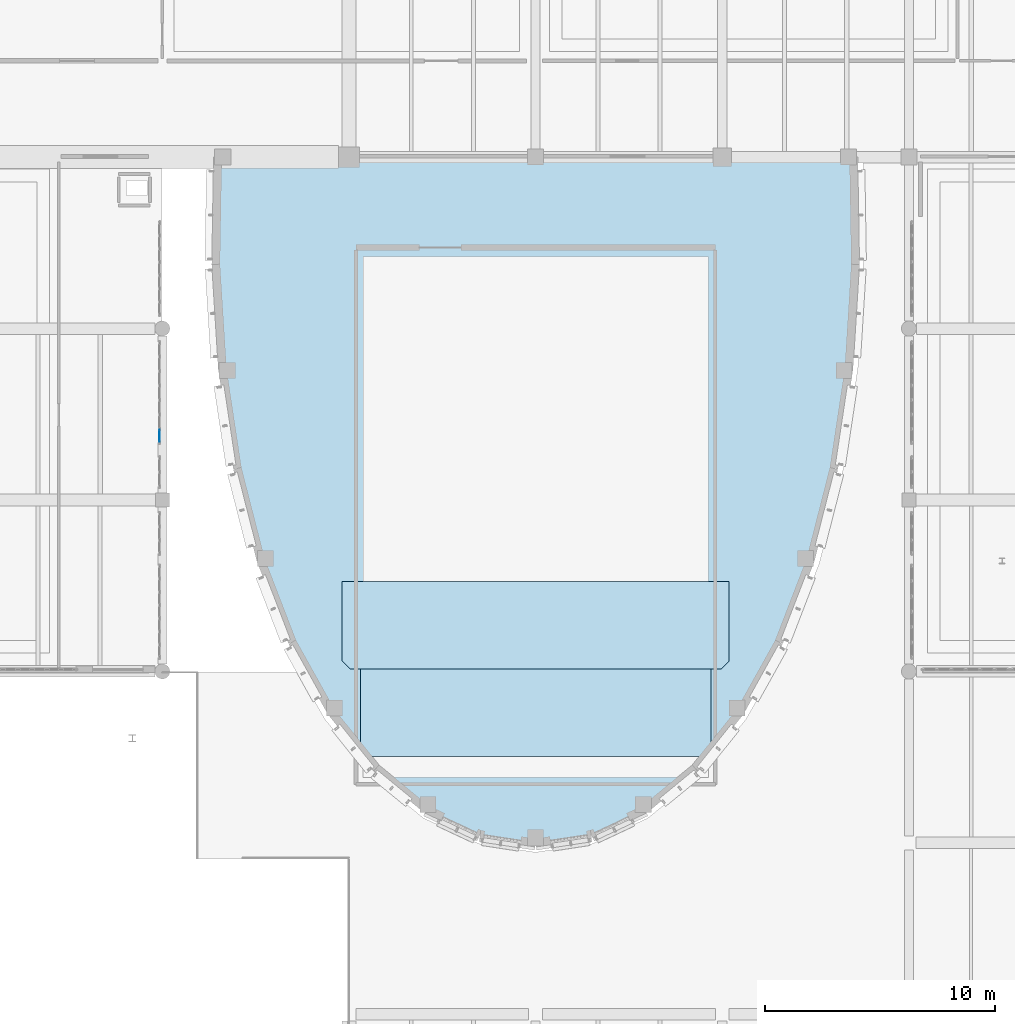
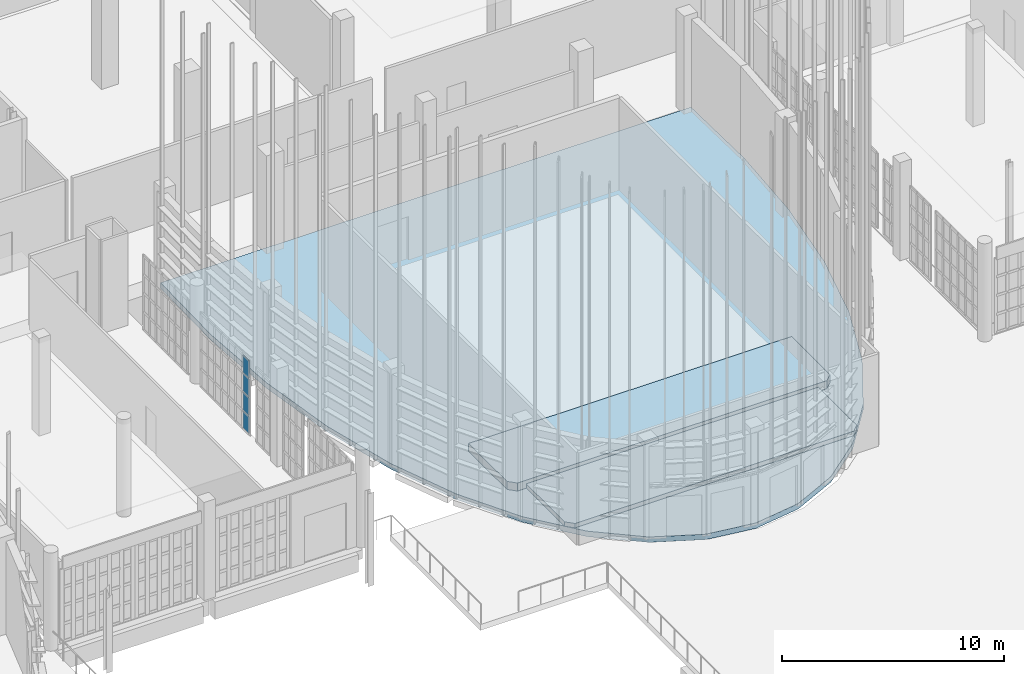
# One storey, part 330 of 372: 4 plates, 3 slabs, 1 element without a shape of its own.
"""IFC4 building model written with IfcOpenShell, lengths in metres."""

from ifc_helpers import new_model, si_unit, direction, frame, origin, origin_2d, place, context, subcontext, project, spatial, polyline, rectangle, outline, extrude, material, layer, layer_set, type_object, element, aggregate, save


model = new_model("IFC4")

# Units and contexts
model_context = context("Model", 3, precision=1e-05, world=origin(), true_north=direction((0.0, 1.0)))
body_context = subcontext(model_context, "Body", "Model", "MODEL_VIEW")
ifc_project = project(units=[si_unit("LENGTHUNIT", "METRE"), si_unit("AREAUNIT", "SQUARE_METRE"), si_unit("VOLUMEUNIT", "CUBIC_METRE"), si_unit("PLANEANGLEUNIT", "RADIAN"), si_unit("MASSUNIT", "GRAM", prefix="KILO")], contexts=[model_context])

# Site, building, storey
site_placement = place(None, origin())
site = spatial("IfcSite", under=ifc_project, at=site_placement, CompositionType="ELEMENT")
building_placement = place(site_placement, origin())
building = spatial("IfcBuilding", under=site, at=building_placement, Name="Kaelora Sail Theatre", CompositionType="ELEMENT")
storey_placement = place(building_placement, origin())
storey = spatial("IfcBuildingStorey", under=building, at=storey_placement, Name="L00", CompositionType="ELEMENT", Elevation=0.0)

# Curtain wall, plates
ifc_material_1 = material(Name="Anodised aluminium and solar-control low-E IGU", Category="aluminium")
curtain_wall_type = type_object("IfcCurtainWallType", Name="ARC-CW-CW-FOY1", PredefinedType="NOTDEFINED", material=ifc_material_1)
curtain_wall_placement = place(storey_placement, origin())
curtain_wall = element("IfcCurtainWall", 1, at=curtain_wall_placement, inside=storey, type_object=curtain_wall_type, Name="West Interstitial Foyer East Glazed Return L00-03", PredefinedType="NOTDEFINED")
ifc_material_2 = material(Name="Solar-control laminated low-E glass", Category="glass")
ifc_layer_1 = layer(ifc_material_2, 0.031982421875)
ifc_layer_set_1 = layer_set([ifc_layer_1], Name="Solar-control laminated low-E glass")
plate_type = type_object("IfcPlateType", Name="ARC-CW-PNL", PredefinedType="CURTAIN_PANEL", material=ifc_layer_set_1)
plate_1_placement = place(storey_placement, frame((74.280029296875, 48.928955078125, 0.070068359375), z_axis=(0.0, 0.0, 1.0), x_axis=(0.0, 1.0, 0.0)))
plate_1 = element("IfcPlate", 2, at=plate_1_placement, type_object=plate_type, Name="CW-FOY1 panel 1.1", PredefinedType="CURTAIN_PANEL", context=body_context, shape_type="SweptSolid", body=[
    extrude(rectangle(XDim=0.537841796875, YDim=0.031982421875, at=origin_2d()), origin(), (0.0, 0.0, 1.0), 0.92919921875),
])
plate_2_placement = place(storey_placement, frame((74.280029296875, 48.928955078125, 1.069091796875), z_axis=(0.0, 0.0, 1.0), x_axis=(0.0, 1.0, 0.0)))
plate_2 = element("IfcPlate", 3, at=plate_2_placement, type_object=plate_type, Name="CW-FOY1 panel 1.2", PredefinedType="CURTAIN_PANEL", context=body_context, shape_type="SweptSolid", body=[
    extrude(rectangle(XDim=0.537841796875, YDim=0.031982421875, at=origin_2d()), origin(), (0.0, 0.0, 1.0), 0.96435546875),
])
plate_3_placement = place(storey_placement, frame((74.280029296875, 48.928955078125, 2.103515625), z_axis=(0.0, 0.0, 1.0), x_axis=(0.0, 1.0, 0.0)))
plate_3 = element("IfcPlate", 4, at=plate_3_placement, type_object=plate_type, Name="CW-FOY1 panel 1.3", PredefinedType="CURTAIN_PANEL", context=body_context, shape_type="SweptSolid", body=[
    extrude(rectangle(XDim=0.537841796875, YDim=0.031982421875, at=origin_2d()), origin(), (0.0, 0.0, 1.0), 0.964111328125),
])
plate_4_placement = place(storey_placement, frame((74.280029296875, 48.928955078125, 3.1376953125), z_axis=(0.0, 0.0, 1.0), x_axis=(0.0, 1.0, 0.0)))
plate_4 = element("IfcPlate", 5, at=plate_4_placement, type_object=plate_type, Name="CW-FOY1 panel 1.4", PredefinedType="CURTAIN_PANEL", context=body_context, shape_type="SweptSolid", body=[
    extrude(rectangle(XDim=0.537841796875, YDim=0.031982421875, at=origin_2d()), origin(), (0.0, 0.0, 1.0), 0.92919921875),
])
aggregate(curtain_wall, [plate_1, plate_2, plate_3, plate_4])

# Slabs
ifc_material_3 = material(Name="Concrete C40/50", Category="concrete")
ifc_layer_2 = layer(ifc_material_3, 0.300048828125)
ifc_layer_set_2 = layer_set([ifc_layer_2], Name="Concrete C40/50")
slab_type_1 = type_object("IfcSlabType", Name="STR-SLB-SL-FL300", PredefinedType="FLOOR", material=ifc_layer_set_2)
slab_1_placement = place(storey_placement, frame((0.0, 0.0, -0.300048828125)))
element("IfcSlab", 6, at=slab_1_placement, inside=storey, type_object=slab_type_1, Name="Studio Theatre floor slab (L00)", PredefinedType="FLOOR", context=body_context, shape_type="SweptSolid", body=[
    extrude(outline(polyline([(104.39990234375, 61.02001953125), (104.477294921875, 56.364501953125), (104.19482421875, 51.82373046875), (103.543212890625, 47.50927734375), (102.525390625, 43.527587890625), (101.158203125, 39.9765625), (99.472412109375, 36.943603515625), (97.51220703125, 34.503662109375), (95.334716796875, 32.716552734375), (93.006103515625, 31.62646484375), (90.60009765625, 31.260009765625), (88.194091796875, 31.62646484375), (85.865234375, 32.716552734375), (83.687744140625, 34.503662109375), (81.727783203125, 36.943603515625), (80.0419921875, 39.9765625), (78.6748046875, 43.527587890625), (77.656982421875, 47.50927734375), (77.005126953125, 51.82373046875), (76.72265625, 56.364501953125), (76.800048828125, 61.02001953125), (104.39990234375, 61.02001953125)])), origin(), (0.0, 0.0, 1.0), 0.300048828125),
])
ifc_material_4 = material(Name="Precast concrete C45/55", Category="concrete")
ifc_layer_3 = layer(ifc_material_4, 0.159912109375)
ifc_layer_set_3 = layer_set([ifc_layer_3], Name="Precast concrete C45/55")
slab_type_2 = type_object("IfcSlabType", Name="STR-SLB-SL-ST160", PredefinedType="USERDEFINED", material=ifc_layer_set_3)
slab_2_placement = place(storey_placement, origin())
element("IfcSlab", 7, at=slab_2_placement, inside=storey, type_object=slab_type_2, Name="Auditorium seating tier ST-S01", ObjectType="SEATING TIER", PredefinedType="USERDEFINED", context=body_context, shape_type="SweptSolid", body=[
    extrude(outline(polyline([(83.35009765625, 35.0), (97.85009765625, 35.0), (98.199951171875, 35.35009765625), (98.199951171875, 38.800048828125), (83.0, 38.800048828125), (83.0, 35.35009765625), (83.35009765625, 35.0)])), origin(), (0.0, 0.0, 1.0), 0.239990234375),
])
slab_3_placement = place(storey_placement, origin())
element("IfcSlab", 8, at=slab_3_placement, inside=storey, type_object=slab_type_2, Name="Auditorium seating tier ST-S02", ObjectType="SEATING TIER", PredefinedType="USERDEFINED", context=body_context, shape_type="SweptSolid", body=[
    extrude(outline(polyline([(82.550048828125, 38.800048828125), (98.64990234375, 38.800048828125), (99.0, 39.14990234375), (99.0, 42.60009765625), (82.199951171875, 42.60009765625), (82.199951171875, 39.14990234375), (82.550048828125, 38.800048828125)])), origin(), (0.0, 0.0, 1.0), 0.43994140625),
])

save(model, "model.ifc")
